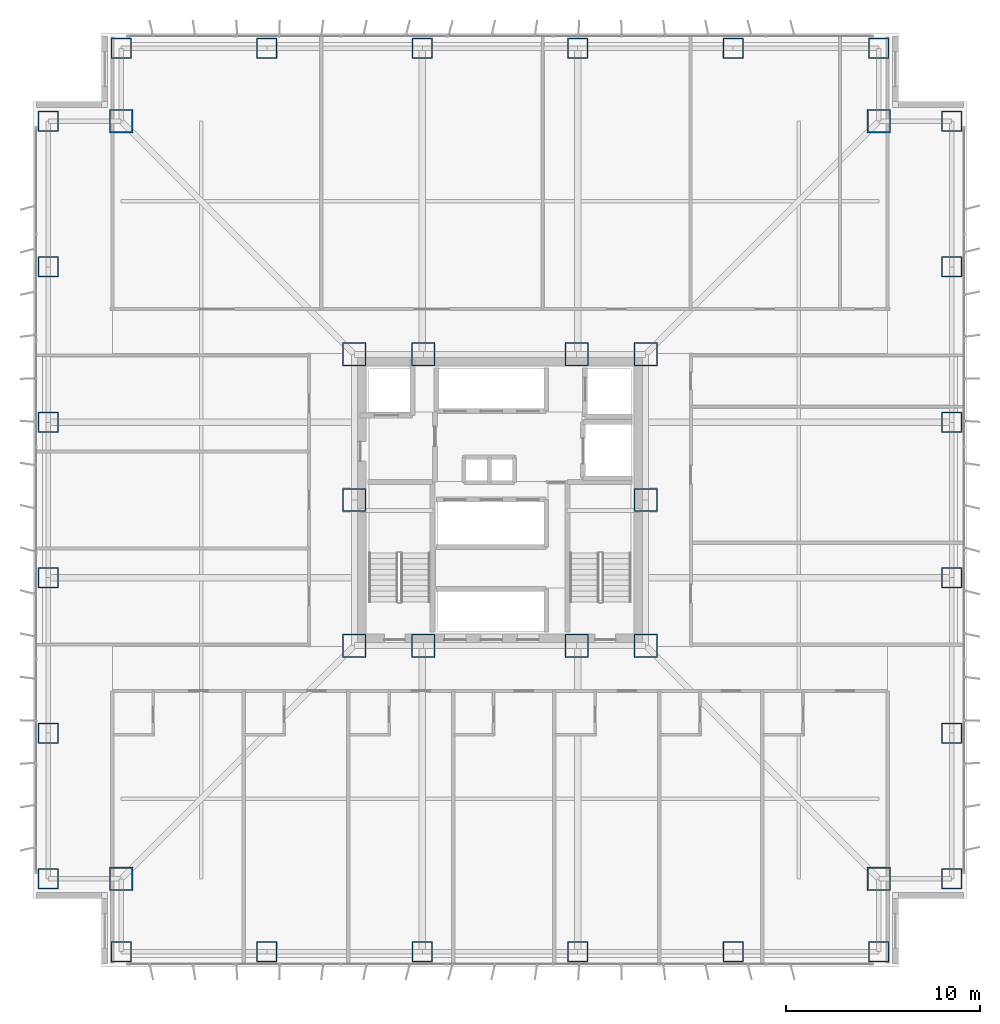
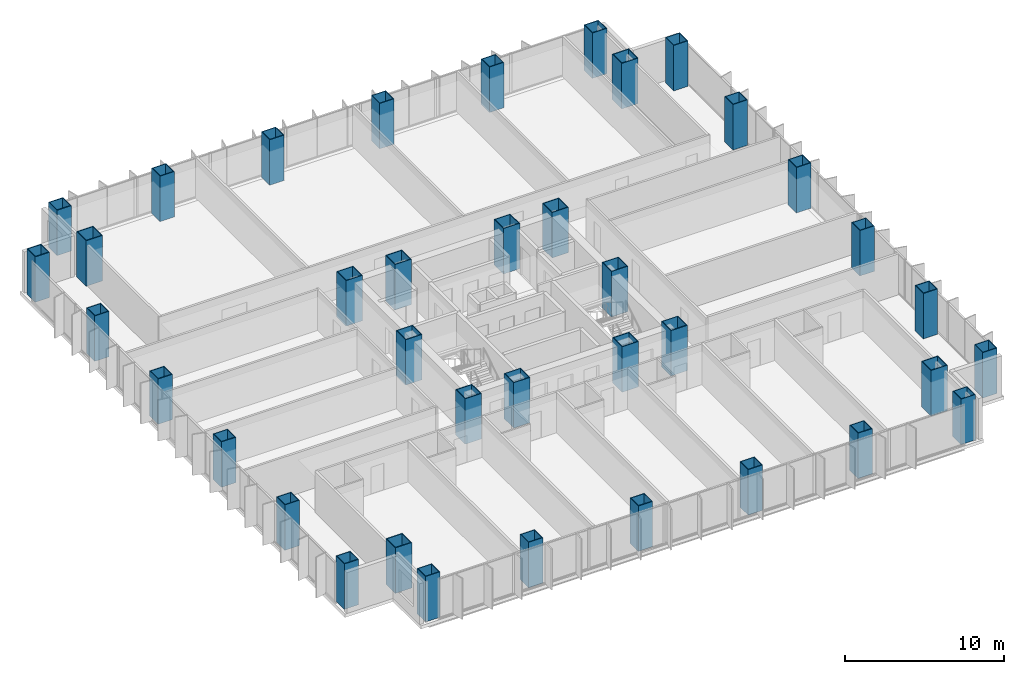
# One storey, part 1 of 19: 38 columns.
"""IFC4 building model written with IfcOpenShell, lengths in metres."""

from ifc_helpers import new_model, si_unit, direction, frame, origin, origin_2d, place, context, subcontext, project, spatial, hollow_rectangle, extrude, material, material_profile, profile_set, type_object, element, save


model = new_model("IFC4")

# Units and contexts
model_context = context("Model", 3, precision=1e-05, world=origin(), true_north=direction((0.0, 1.0)))
body_context = subcontext(model_context, "Body", "Model", "MODEL_VIEW")
ifc_project = project(units=[si_unit("LENGTHUNIT", "METRE"), si_unit("AREAUNIT", "SQUARE_METRE"), si_unit("VOLUMEUNIT", "CUBIC_METRE"), si_unit("PLANEANGLEUNIT", "RADIAN"), si_unit("MASSUNIT", "GRAM", prefix="KILO")], contexts=[model_context])

# Site, building, storey
site_placement = place(None, origin())
site = spatial("IfcSite", under=ifc_project, at=site_placement, CompositionType="ELEMENT")
building_placement = place(site_placement, origin())
building = spatial("IfcBuilding", under=site, at=building_placement, Name="Trevonay Congress Spire", CompositionType="ELEMENT")
storey_placement = place(building_placement, frame((0.0, 0.0, 79.5)))
storey = spatial("IfcBuildingStorey", under=building, at=storey_placement, Name="L20", CompositionType="ELEMENT", Elevation=79.5)

# Columns
ifc_material = material(Name="Steel ASTM A572 Grade 50", Category="steel")
ifc_material_profile_1 = material_profile(ifc_material, hollow_rectangle(XDim=1.199951171875, YDim=1.199951171875, WallThickness=0.054931640625, at=origin_2d()), Name="BOX 1200x1200x55")
ifc_profile_set_1 = profile_set([ifc_material_profile_1], Name="Steel ASTM A572 Grade 50")
column_type_1 = type_object("IfcColumnType", Name="COL-CORE-BOX1200", PredefinedType="COLUMN", material=ifc_profile_set_1)
for number, where, z_axis, x_axis, name in (
    (1, (-7.5, -7.5, 0.0), (0.0, 0.0, 1.0), (1.0, 0.0, 0.0), "L20 column C02 at CC-SW"),
    (2, (-3.949951171875, -7.5, 0.0), (0.0, 0.0, 1.0), (1.0, 0.0, 0.0), "L20 column C02 at CC-SMW"),
    (3, (3.949951171875, -7.5, 0.0), (0.0, 0.0, 1.0), (1.0, 0.0, 0.0), "L20 column C02 at CC-SME"),
    (4, (7.5, -7.5, 0.0), (0.0, 0.0, 1.0), (1.0, 0.0, 0.0), "L20 column C02 at CC-SE"),
    (5, (7.5, 0.0, 0.0), (0.0, 0.0, 1.0), (1.0, 0.0, 0.0), "L20 column C02 at CC-E"),
    (6, (7.5, 7.5, 0.0), (0.0, 0.0, 1.0), (1.0, 0.0, 0.0), "L20 column C02 at CC-NE"),
    (7, (3.949951171875, 7.5, 0.0), (0.0, 0.0, 1.0), (1.0, 0.0, 0.0), "L20 column C02 at CC-NME"),
    (8, (-3.949951171875, 7.5, 0.0), (0.0, 0.0, 1.0), (1.0, 0.0, 0.0), "L20 column C02 at CC-NMW"),
    (9, (-7.5, 7.5, 0.0), (0.0, 0.0, 1.0), (1.0, 0.0, 0.0), "L20 column C02 at CC-NW"),
    (10, (-7.5, 0.0, 0.0), (0.0, 0.0, 1.0), (1.0, 0.0, 0.0), "L20 column C02 at CC-W"),
):
    element("IfcColumn", number, at=place(storey_placement, frame(where, z_axis=z_axis, x_axis=x_axis)), inside=storey, type_object=column_type_1, Name=name, PredefinedType="COLUMN", context=body_context, shape_type="SweptSolid", body=[
        extrude(hollow_rectangle(XDim=1.199951171875, YDim=1.199951171875, WallThickness=0.054931640625, at=origin_2d()), origin(), (0.0, 0.0, 1.0), 3.5),
    ])
ifc_material_profile_2 = material_profile(ifc_material, hollow_rectangle(XDim=1.199951171875, YDim=1.199951171875, WallThickness=0.054931640625, at=origin_2d()), Name="BOX 1200x1200x55")
ifc_profile_set_2 = profile_set([ifc_material_profile_2], Name="Steel ASTM A572 Grade 50")
column_type_2 = type_object("IfcColumnType", Name="COL-NOTCH-BOX1200", PredefinedType="COLUMN", material=ifc_profile_set_2)
for number, where, z_axis, x_axis, name in (
    (11, (-19.5, -19.5, 0.0), (0.0, 0.0, 1.0), (1.0, 0.0, 0.0), "L20 column C19 at NC-SW"),
    (12, (19.5, -19.5, 0.0), (0.0, 0.0, 1.0), (1.0, 0.0, 0.0), "L20 column C19 at NC-SE"),
    (13, (19.5, 19.5, 0.0), (0.0, 0.0, 1.0), (1.0, 0.0, 0.0), "L20 column C19 at NC-NE"),
    (14, (-19.5, 19.5, 0.0), (0.0, 0.0, 1.0), (1.0, 0.0, 0.0), "L20 column C19 at NC-NW"),
):
    element("IfcColumn", number, at=place(storey_placement, frame(where, z_axis=z_axis, x_axis=x_axis)), inside=storey, type_object=column_type_2, Name=name, PredefinedType="COLUMN", context=body_context, shape_type="SweptSolid", body=[
        extrude(hollow_rectangle(XDim=1.199951171875, YDim=1.199951171875, WallThickness=0.054931640625, at=origin_2d()), origin(), (0.0, 0.0, 1.0), 3.5),
    ])
ifc_material_profile_3 = material_profile(ifc_material, hollow_rectangle(XDim=1.050048828125, YDim=1.050048828125, WallThickness=0.050048828125, at=origin_2d()), Name="BOX 1050x1050x50")
ifc_profile_set_3 = profile_set([ifc_material_profile_3], Name="Steel ASTM A572 Grade 50")
column_type_3 = type_object("IfcColumnType", Name="COL-TUBE-BOX1050", PredefinedType="COLUMN", material=ifc_profile_set_3)
for number, where, z_axis, x_axis, name in (
    (15, (-19.5, -23.25, 0.0), (0.0, 0.0, 1.0), (1.0, 0.0, 0.0), "L20 column C14 at TS-1"),
    (16, (-19.5, 23.25, 0.0), (0.0, 0.0, 1.0), (1.0, 0.0, 0.0), "L20 column C14 at TN-1"),
    (17, (-23.25, -19.5, 0.0), (0.0, 0.0, 1.0), (1.0, 0.0, 0.0), "L20 column C14 at TW-1"),
    (18, (23.25, -19.5, 0.0), (0.0, 0.0, 1.0), (1.0, 0.0, 0.0), "L20 column C14 at TE-1"),
    (19, (-12.0, -23.25, 0.0), (0.0, 0.0, 1.0), (1.0, 0.0, 0.0), "L20 column C14 at TS-2"),
    (20, (-12.0, 23.25, 0.0), (0.0, 0.0, 1.0), (1.0, 0.0, 0.0), "L20 column C14 at TN-2"),
    (21, (-23.25, -12.0, 0.0), (0.0, 0.0, 1.0), (1.0, 0.0, 0.0), "L20 column C14 at TW-2"),
    (22, (23.25, -12.0, 0.0), (0.0, 0.0, 1.0), (1.0, 0.0, 0.0), "L20 column C14 at TE-2"),
    (23, (-4.0, -23.25, 0.0), (0.0, 0.0, 1.0), (1.0, 0.0, 0.0), "L20 column C14 at TS-3"),
    (24, (-4.0, 23.25, 0.0), (0.0, 0.0, 1.0), (1.0, 0.0, 0.0), "L20 column C14 at TN-3"),
    (25, (-23.25, -4.0, 0.0), (0.0, 0.0, 1.0), (1.0, 0.0, 0.0), "L20 column C14 at TW-3"),
    (26, (23.25, -4.0, 0.0), (0.0, 0.0, 1.0), (1.0, 0.0, 0.0), "L20 column C14 at TE-3"),
    (27, (4.0, -23.25, 0.0), (0.0, 0.0, 1.0), (1.0, 0.0, 0.0), "L20 column C14 at TS-4"),
    (28, (4.0, 23.25, 0.0), (0.0, 0.0, 1.0), (1.0, 0.0, 0.0), "L20 column C14 at TN-4"),
    (29, (-23.25, 4.0, 0.0), (0.0, 0.0, 1.0), (1.0, 0.0, 0.0), "L20 column C14 at TW-4"),
    (30, (23.25, 4.0, 0.0), (0.0, 0.0, 1.0), (1.0, 0.0, 0.0), "L20 column C14 at TE-4"),
    (31, (12.0, -23.25, 0.0), (0.0, 0.0, 1.0), (1.0, 0.0, 0.0), "L20 column C14 at TS-5"),
    (32, (12.0, 23.25, 0.0), (0.0, 0.0, 1.0), (1.0, 0.0, 0.0), "L20 column C14 at TN-5"),
    (33, (-23.25, 12.0, 0.0), (0.0, 0.0, 1.0), (1.0, 0.0, 0.0), "L20 column C14 at TW-5"),
    (34, (23.25, 12.0, 0.0), (0.0, 0.0, 1.0), (1.0, 0.0, 0.0), "L20 column C14 at TE-5"),
    (35, (19.5, -23.25, 0.0), (0.0, 0.0, 1.0), (1.0, 0.0, 0.0), "L20 column C14 at TS-6"),
    (36, (19.5, 23.25, 0.0), (0.0, 0.0, 1.0), (1.0, 0.0, 0.0), "L20 column C14 at TN-6"),
    (37, (-23.25, 19.5, 0.0), (0.0, 0.0, 1.0), (1.0, 0.0, 0.0), "L20 column C14 at TW-6"),
    (38, (23.25, 19.5, 0.0), (0.0, 0.0, 1.0), (1.0, 0.0, 0.0), "L20 column C14 at TE-6"),
):
    element("IfcColumn", number, at=place(storey_placement, frame(where, z_axis=z_axis, x_axis=x_axis)), inside=storey, type_object=column_type_3, Name=name, PredefinedType="COLUMN", context=body_context, shape_type="SweptSolid", body=[
        extrude(hollow_rectangle(XDim=1.050048828125, YDim=1.050048828125, WallThickness=0.050048828125, at=origin_2d()), origin(), (0.0, 0.0, 1.0), 3.5),
    ])

save(model, "model.ifc")
